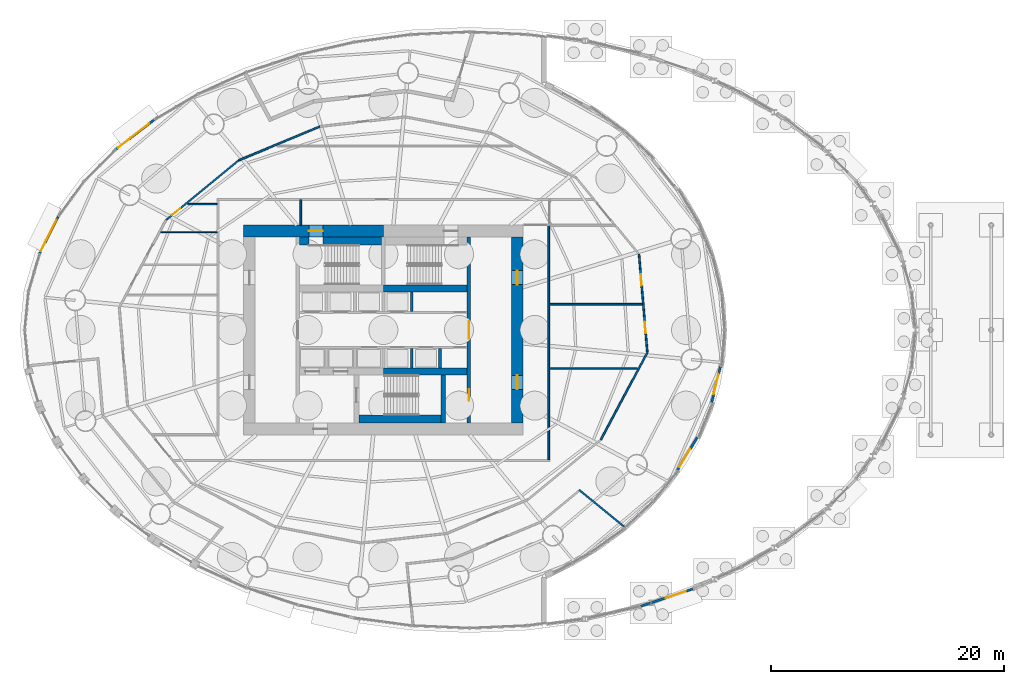
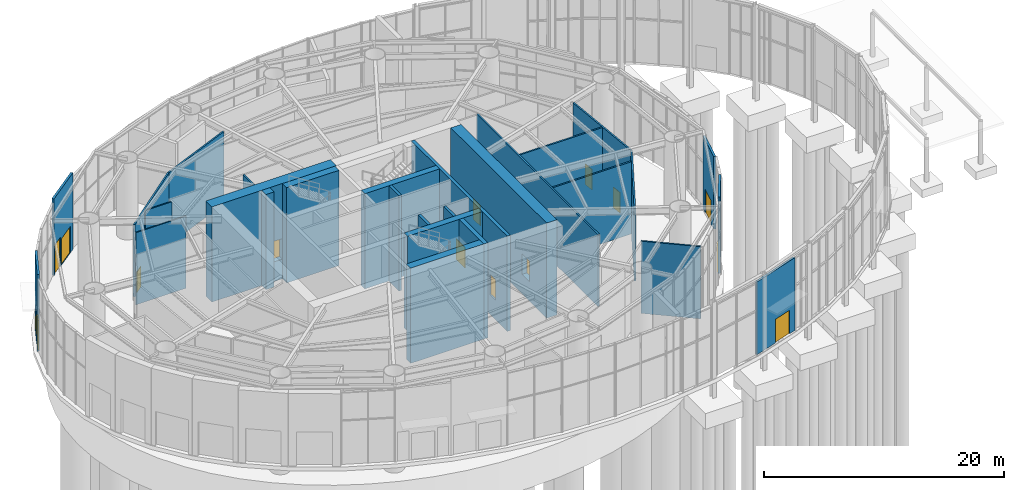
# One storey, part 23 of 27: 28 walls, 13 doors, 2 windows, 15 openings.
"""IFC4 building model written with IfcOpenShell, lengths in metres."""

from ifc_helpers import new_model, si_unit, direction, frame, frame_2d, origin, place, context, subcontext, project, spatial, rectangle, extrude, material, layer, layer_set, type_object, element, fill, save


model = new_model("IFC4")

# Units and contexts
model_context = context("Model", 3, precision=1e-05, world=origin(), true_north=direction((0.0, 1.0)))
body_context = subcontext(model_context, "Body", "Model", "MODEL_VIEW")
ifc_project = project(units=[si_unit("LENGTHUNIT", "METRE"), si_unit("AREAUNIT", "SQUARE_METRE"), si_unit("VOLUMEUNIT", "CUBIC_METRE"), si_unit("PLANEANGLEUNIT", "RADIAN"), si_unit("MASSUNIT", "GRAM", prefix="KILO")], contexts=[model_context])

# Site, building, storey
site_placement = place(None, origin())
site = spatial("IfcSite", under=ifc_project, at=site_placement, CompositionType="ELEMENT")
building_placement = place(site_placement, origin())
building = spatial("IfcBuilding", under=site, at=building_placement, Name="Vermilion Reach Broadcast Tower", CompositionType="ELEMENT")
storey_placement = place(building_placement, origin())
storey = spatial("IfcBuildingStorey", under=building, at=storey_placement, Name="L00", CompositionType="ELEMENT", Elevation=0.0)

# Wall, openings, doors
ifc_material_1 = material(Name="Concrete C70", Category="concrete")
ifc_layer_1 = layer(ifc_material_1, 0.300048828125)
ifc_layer_set_1 = layer_set([ifc_layer_1], Name="Core inner wall 300 mm Concrete C70")
wall_type_1 = type_object("IfcWallType", Name="Core inner wall 300 mm Concrete C70", PredefinedType="SHEAR", material=ifc_layer_set_1)
wall_1_placement = place(storey_placement, frame((1.35009765625, -8.0, -2.0), z_axis=(0.0, 0.0, 1.0), x_axis=(0.0, 1.0, 0.0)))
wall_1 = element("IfcWall", 1, at=wall_1_placement, inside=storey, type_object=wall_type_1, Name="L00 core wall ewE", PredefinedType="SHEAR", context=body_context, shape_type="SweptSolid", body=[
    extrude(rectangle(XDim=16.0, YDim=0.300048828125, at=frame_2d((8.0, 0.0))), origin(), (0.0, 0.0, 1.0), 9.699951171875),
])
opening_1_placement = place(wall_1_placement, frame((1.909912109375, 0.0, 2.0)))
opening_1 = element("IfcOpeningElement", 2, at=opening_1_placement, cuts=wall_1, Name="Opening D05", PredefinedType="OPENING", context=body_context, shape_type="SweptSolid", body=[
    extrude(rectangle(XDim=1.0, YDim=2.10009765625, at=frame_2d((0.5, 1.050048828125))), frame((0.0, 0.159912109375, 0.0), z_axis=(0.0, -1.0, 0.0), x_axis=(1.0, 0.0, 0.0)), (0.0, 0.0, 1.0), 0.320068359375),
])
opening_2_placement = place(wall_1_placement, frame((7.25, 0.0, 2.0)))
opening_2 = element("IfcOpeningElement", 3, at=opening_2_placement, cuts=wall_1, Name="Opening D04", PredefinedType="OPENING", context=body_context, shape_type="SweptSolid", body=[
    extrude(rectangle(XDim=1.5, YDim=2.10009765625, at=frame_2d((0.75, 1.050048828125))), frame((0.0, 0.159912109375, 0.0), z_axis=(0.0, -1.0, 0.0), x_axis=(1.0, 0.0, 0.0)), (0.0, 0.0, 1.0), 0.320068359375),
])
ifc_material_2 = material(Name="Painted steel fire door", Category="steel")
door_type_1 = type_object("IfcDoorType", Name="Lift lobby door 1500 x 2100", OperationType="DOUBLE_DOOR_SINGLE_SWING", PredefinedType="NOTDEFINED", material=ifc_material_2)
door_1_placement = place(opening_2_placement, origin())
door_1 = element("IfcDoor", 4, at=door_1_placement, inside=storey, type_object=door_type_1, Name="L00 band door BE", OperationType="DOUBLE_DOOR_SINGLE_SWING", OverallHeight=2.10009765625, OverallWidth=1.5, PredefinedType="NOTDEFINED", context=body_context, shape_type="SweptSolid", body=[
    extrude(rectangle(XDim=1.5, YDim=2.10009765625, at=frame_2d((0.75, 1.050048828125))), frame((0.0, 0.02490234375, 0.0), z_axis=(0.0, -1.0, 0.0), x_axis=(1.0, 0.0, 0.0)), (0.0, 0.0, 1.0), 0.050048828125),
])
fill(opening_2, door_1)
ifc_material_3 = material(Name="Timber door", Category="wood")
door_type_2 = type_object("IfcDoorType", Name="Room door 1000 x 2100", OperationType="NOTDEFINED", PredefinedType="NOTDEFINED", material=ifc_material_3)
door_2_placement = place(opening_1_placement, origin())
door_2 = element("IfcDoor", 5, at=door_2_placement, inside=storey, type_object=door_type_2, Name="L00 door SER", OperationType="SINGLE_SWING_LEFT", OverallHeight=2.10009765625, OverallWidth=1.0, PredefinedType="NOTDEFINED", context=body_context, shape_type="SweptSolid", body=[
    extrude(rectangle(XDim=1.0, YDim=2.10009765625, at=frame_2d((0.5, 1.050048828125))), frame((0.0, 0.02490234375, 0.0), z_axis=(0.0, -1.0, 0.0), x_axis=(1.0, 0.0, 0.0)), (0.0, 0.0, 1.0), 0.050048828125),
])
fill(opening_1, door_2)

# Walls
ifc_material_4 = material(Name="Concrete C70", Category="concrete")
ifc_layer_2 = layer(ifc_material_4, 0.39990234375)
ifc_layer_set_2 = layer_set([ifc_layer_2], Name="Core inner wall 400 mm Concrete C70")
wall_type_2 = type_object("IfcWallType", Name="Core inner wall 400 mm Concrete C70", PredefinedType="SHEAR", material=ifc_layer_set_2)
wall_2_placement = place(storey_placement, frame((-0.85009765625, -3.8798828125, -2.0), z_axis=(0.0, 0.0, 1.0), x_axis=(0.0, -1.0, 0.0)))
element("IfcWall", 6, at=wall_2_placement, inside=storey, type_object=wall_type_2, Name="L00 core wall wb", PredefinedType="SHEAR", context=body_context, shape_type="SweptSolid", body=[
    extrude(rectangle(XDim=4.1201171875, YDim=0.39990234375, at=frame_2d((2.06005859375, 0.0))), origin(), (0.0, 0.0, 1.0), 9.699951171875),
])
ifc_material_5 = material(Name="Concrete C70", Category="concrete")
ifc_layer_3 = layer(ifc_material_5, 0.60009765625)
ifc_layer_set_3 = layer_set([ifc_layer_3], Name="Core inner wall 600 mm Concrete C70")
wall_type_3 = type_object("IfcWallType", Name="Core inner wall 600 mm Concrete C70", PredefinedType="SHEAR", material=ifc_layer_set_3)
for number, where, z_axis, x_axis, name in (
    (7, (-6.0, 3.580078125, -2.0), (0.0, 0.0, 1.0), (1.0, 0.0, 0.0), "L00 core wall winE"),
    (8, (-6.0, -3.580078125, -2.0), (0.0, 0.0, 1.0), (1.0, 0.0, 0.0), "L00 core wall wisE"),
):
    element("IfcWall", number, at=place(storey_placement, frame(where, z_axis=z_axis, x_axis=x_axis)), inside=storey, type_object=wall_type_3, Name=name, PredefinedType="SHEAR", context=body_context, shape_type="SweptSolid", body=[
        extrude(rectangle(XDim=7.199951171875, YDim=0.60009765625, at=frame_2d((3.60009765625, 0.0))), origin(), (0.0, 0.0, 1.0), 9.699951171875),
    ])

# Wall, opening, door
ifc_material_6 = material(Name="Concrete C70", Category="concrete")
ifc_layer_4 = layer(ifc_material_6, 1.0)
ifc_layer_set_4 = layer_set([ifc_layer_4], Name="Core outer wall 1000 mm Concrete C70")
wall_type_4 = type_object("IfcWallType", Name="Core outer wall 1000 mm Concrete C70", PredefinedType="SHEAR", material=ifc_layer_set_4)
wall_3_placement = place(storey_placement, frame((-6.0, 8.5, -2.0), z_axis=(0.0, 0.0, 1.0), x_axis=(-1.0, 0.0, 0.0)))
wall_3 = element("IfcWall", 9, at=wall_3_placement, inside=storey, type_object=wall_type_4, Name="L00 core wall onW", PredefinedType="SHEAR", context=body_context, shape_type="SweptSolid", body=[
    extrude(rectangle(XDim=12.0, YDim=1.0, at=frame_2d((6.0, 0.0))), origin(), (0.0, 0.0, 1.0), 9.699951171875),
])
opening_3_placement = place(wall_3_placement, frame((5.199951171875, 0.0, 2.0)))
opening_3 = element("IfcOpeningElement", 10, at=opening_3_placement, cuts=wall_3, Name="Opening D01", PredefinedType="OPENING", context=body_context, shape_type="SweptSolid", body=[
    extrude(rectangle(XDim=1.199951171875, YDim=2.10009765625, at=frame_2d((0.60009765625, 1.050048828125))), frame((0.0, 0.510009765625, 0.0), z_axis=(0.0, -1.0, 0.0), x_axis=(1.0, 0.0, 0.0)), (0.0, 0.0, 1.0), 1.02001953125),
])
ifc_material_7 = material(Name="Painted steel fire door", Category="steel")
door_type_3 = type_object("IfcDoorType", Name="Stair door 1200 x 2100", OperationType="DOUBLE_DOOR_SINGLE_SWING", PredefinedType="NOTDEFINED", material=ifc_material_7)
door_3_placement = place(opening_3_placement, origin())
door_3 = element("IfcDoor", 11, at=door_3_placement, inside=storey, type_object=door_type_3, Name="L00 stair door ST1", OperationType="DOUBLE_DOOR_SINGLE_SWING", OverallHeight=2.10009765625, OverallWidth=1.199951171875, PredefinedType="NOTDEFINED", context=body_context, shape_type="SweptSolid", body=[
    extrude(rectangle(XDim=1.199951171875, YDim=2.10009765625, at=frame_2d((0.60009765625, 1.050048828125))), frame((0.0, 0.02490234375, 0.0), z_axis=(0.0, -1.0, 0.0), x_axis=(1.0, 0.0, 0.0)), (0.0, 0.0, 1.0), 0.050048828125),
])
fill(opening_3, door_3)

# Wall, openings, doors
wall_4_placement = place(storey_placement, frame((5.5, -8.0, -2.0), z_axis=(0.0, 0.0, 1.0), x_axis=(0.0, 1.0, 0.0)))
wall_4 = element("IfcWall", 12, at=wall_4_placement, inside=storey, type_object=wall_type_4, Name="L00 core wall oe", PredefinedType="SHEAR", context=body_context, shape_type="SweptSolid", body=[
    extrude(rectangle(XDim=16.0, YDim=1.0, at=frame_2d((8.0, 0.0))), origin(), (0.0, 0.0, 1.0), 9.699951171875),
])
opening_4_placement = place(wall_4_placement, frame((2.89990234375, 0.0, 2.0)))
opening_4 = element("IfcOpeningElement", 13, at=opening_4_placement, cuts=wall_4, Name="Opening D03", PredefinedType="OPENING", context=body_context, shape_type="SweptSolid", body=[
    extrude(rectangle(XDim=1.199951171875, YDim=2.10009765625, at=frame_2d((0.60009765625, 1.050048828125))), frame((0.0, 0.510009765625, 0.0), z_axis=(0.0, -1.0, 0.0), x_axis=(1.0, 0.0, 0.0)), (0.0, 0.0, 1.0), 1.02001953125),
])
opening_5_placement = place(wall_4_placement, frame((11.89990234375, 0.0, 2.0)))
opening_5 = element("IfcOpeningElement", 14, at=opening_5_placement, cuts=wall_4, Name="Opening D03", PredefinedType="OPENING", context=body_context, shape_type="SweptSolid", body=[
    extrude(rectangle(XDim=1.199951171875, YDim=2.10009765625, at=frame_2d((0.60009765625, 1.050048828125))), frame((0.0, 0.510009765625, 0.0), z_axis=(0.0, -1.0, 0.0), x_axis=(1.0, 0.0, 0.0)), (0.0, 0.0, 1.0), 1.02001953125),
])
ifc_material_8 = material(Name="Painted steel fire door", Category="steel")
door_type_4 = type_object("IfcDoorType", Name="Core lobby door 1200 x 2100", OperationType="DOUBLE_DOOR_SINGLE_SWING", PredefinedType="NOTDEFINED", material=ifc_material_8)
door_4_placement = place(opening_4_placement, origin())
door_4 = element("IfcDoor", 15, at=door_4_placement, inside=storey, type_object=door_type_4, Name="L00 slot door E0", OperationType="DOUBLE_DOOR_SINGLE_SWING", OverallHeight=2.10009765625, OverallWidth=1.199951171875, PredefinedType="NOTDEFINED", context=body_context, shape_type="SweptSolid", body=[
    extrude(rectangle(XDim=1.199951171875, YDim=2.10009765625, at=frame_2d((0.60009765625, 1.050048828125))), frame((0.0, 0.02490234375, 0.0), z_axis=(0.0, -1.0, 0.0), x_axis=(1.0, 0.0, 0.0)), (0.0, 0.0, 1.0), 0.050048828125),
])
fill(opening_4, door_4)
door_5_placement = place(opening_5_placement, origin())
door_5 = element("IfcDoor", 16, at=door_5_placement, inside=storey, type_object=door_type_4, Name="L00 slot door E1", OperationType="DOUBLE_DOOR_SINGLE_SWING", OverallHeight=2.10009765625, OverallWidth=1.199951171875, PredefinedType="NOTDEFINED", context=body_context, shape_type="SweptSolid", body=[
    extrude(rectangle(XDim=1.199951171875, YDim=2.10009765625, at=frame_2d((0.60009765625, 1.050048828125))), frame((0.0, 0.02490234375, 0.0), z_axis=(0.0, -1.0, 0.0), x_axis=(1.0, 0.0, 0.0)), (0.0, 0.0, 1.0), 0.050048828125),
])
fill(opening_5, door_5)

# Walls
ifc_material_9 = material(Name="Concrete C50", Category="concrete")
ifc_layer_5 = layer(ifc_material_9, 0.25)
ifc_layer_set_5 = layer_set([ifc_layer_5], Name="Core shaft wall 250 mm Concrete C50")
wall_type_5 = type_object("IfcWallType", Name="Core shaft wall 250 mm Concrete C50", PredefinedType="SHEAR", material=ifc_layer_set_5)
for number, where, z_axis, x_axis, name in (
    (17, (-3.558349609375, 1.60009765625, -2.0), (0.0, 0.0, 1.0), (0.0, 1.0, 0.0), "L00 core wall psN3"),
    (18, (-3.558349609375, -1.60009765625, -2.0), (0.0, 0.0, 1.0), (0.0, -1.0, 0.0), "L00 core wall psS3"),
    (19, (-1.11669921875, -1.60009765625, -2.0), (0.0, 0.0, 1.0), (0.0, -1.0, 0.0), "L00 core wall psS4"),
):
    element("IfcWall", number, at=place(storey_placement, frame(where, z_axis=z_axis, x_axis=x_axis)), inside=storey, type_object=wall_type_5, Name=name, PredefinedType="SHEAR", context=body_context, shape_type="SweptSolid", body=[
        extrude(rectangle(XDim=1.679931640625, YDim=0.25, at=frame_2d((0.83984375, 0.0))), origin(), (0.0, 0.0, 1.0), 9.699951171875),
    ])
ifc_material_10 = material(Name="Concrete C70", Category="concrete")
ifc_layer_6 = layer(ifc_material_10, 0.699951171875)
ifc_layer_set_6 = layer_set([ifc_layer_6], Name="Core stair wall 700 mm Concrete C70")
wall_type_6 = type_object("IfcWallType", Name="Core stair wall 700 mm Concrete C70", PredefinedType="SHEAR", material=ifc_layer_set_6)
wall_5_placement = place(storey_placement, frame((-13.199951171875, 7.64990234375, -2.0), z_axis=(0.0, 0.0, 1.0), x_axis=(1.0, 0.0, 0.0)))
element("IfcWall", 20, at=wall_5_placement, inside=storey, type_object=wall_type_6, Name="L00 core wall l1a", PredefinedType="SHEAR", context=body_context, shape_type="SweptSolid", body=[
    extrude(rectangle(XDim=0.800048828125, YDim=0.699951171875, at=frame_2d((0.39990234375, 0.0))), origin(), (0.0, 0.0, 1.0), 9.699951171875),
])
wall_6_placement = place(storey_placement, frame((-11.199951171875, 7.64990234375, -2.0), z_axis=(0.0, 0.0, 1.0), x_axis=(1.0, 0.0, 0.0)))
element("IfcWall", 21, at=wall_6_placement, inside=storey, type_object=wall_type_6, Name="L00 core wall l1b", PredefinedType="SHEAR", context=body_context, shape_type="SweptSolid", body=[
    extrude(rectangle(XDim=5.050048828125, YDim=0.699951171875, at=frame_2d((2.52490234375, 0.0))), origin(), (0.0, 0.0, 1.0), 9.699951171875),
])
wall_7_placement = place(storey_placement, frame((-8.10009765625, -7.64990234375, -2.0), z_axis=(0.0, 0.0, 1.0), x_axis=(1.0, 0.0, 0.0)))
element("IfcWall", 22, at=wall_7_placement, inside=storey, type_object=wall_type_6, Name="L00 core wall l3", PredefinedType="SHEAR", context=body_context, shape_type="SweptSolid", body=[
    extrude(rectangle(XDim=7.050048828125, YDim=0.699951171875, at=frame_2d((3.52490234375, 0.0))), origin(), (0.0, 0.0, 1.0), 9.699951171875),
])
ifc_material_11 = material(Name="Gypsum board partition")
ifc_layer_7 = layer(ifc_material_11, 0.14990234375)
ifc_layer_set_7 = layer_set([ifc_layer_7], Name="Corridor wall 150")
wall_type_7 = type_object("IfcWallType", Name="Corridor wall 150", PredefinedType="PARTITIONING", material=ifc_layer_set_7)
wall_8_placement = place(storey_placement, frame((8.199951171875, -11.125, 0.0), z_axis=(0.0, 0.0, 1.0), x_axis=(0.0, 1.0, 0.0)))
element("IfcWall", 23, at=wall_8_placement, inside=storey, type_object=wall_type_7, Name="sp.wall.L00.002", PredefinedType="PARTITIONING", context=body_context, shape_type="SweptSolid", body=[
    extrude(rectangle(XDim=20.2001953125, YDim=0.14990234375, at=frame_2d((10.10009765625, 0.0))), origin(), (0.0, 0.0, 1.0), 7.35009765625),
])

# Wall, opening, door
wall_9_placement = place(storey_placement, frame((-18.4306640625, 14.55908203125, 0.0), z_axis=(0.0, 0.0, 1.0), x_axis=(-0.772569565922, -0.634930126716, 0.0)))
wall_9 = element("IfcWall", 24, at=wall_9_placement, inside=storey, type_object=wall_type_7, Name="sp.wall.L00.014", PredefinedType="PARTITIONING", context=body_context, shape_type="SweptSolid", body=[
    extrude(rectangle(XDim=8.052978515625, YDim=0.14990234375, at=frame_2d((4.0263671875, 0.0))), origin(), (0.0, 0.0, 1.0), 7.35009765625),
])
opening_6_placement = place(wall_9_placement, frame((6.48681640625, 0.0, 0.0)))
opening_6 = element("IfcOpeningElement", 25, at=opening_6_placement, cuts=wall_9, Name="Opening D51", PredefinedType="OPENING", context=body_context, shape_type="SweptSolid", body=[
    extrude(rectangle(XDim=0.89990234375, YDim=2.10009765625, at=frame_2d((0.449951171875, 1.050048828125))), frame((0.0, 0.0849609375, 0.0), z_axis=(0.0, -1.0, 0.0), x_axis=(1.0, 0.0, 0.0)), (0.0, 0.0, 1.0), 0.169921875),
])
ifc_material_12 = material(Name="Timber and steel door set", Category="steel")
door_type_5 = type_object("IfcDoorType", Name="Door 900x2100 WC", OperationType="NOTDEFINED", PredefinedType="DOOR", material=ifc_material_12)
door_6_placement = place(opening_6_placement, origin())
door_6 = element("IfcDoor", 26, at=door_6_placement, inside=storey, type_object=door_type_5, Name="sp.door.L00.003", OperationType="SINGLE_SWING_RIGHT", OverallHeight=2.10009765625, OverallWidth=0.89990234375, PredefinedType="DOOR", context=body_context, shape_type="SweptSolid", body=[
    extrude(rectangle(XDim=0.89990234375, YDim=2.10009765625, at=frame_2d((0.449951171875, 1.050048828125))), frame((0.0, 0.02490234375, 0.0), z_axis=(0.0, -1.0, 0.0), x_axis=(1.0, 0.0, 0.0)), (0.0, 0.0, 1.0), 0.050048828125),
])
fill(opening_6, door_6)

# Walls
wall_10_placement = place(storey_placement, frame((-18.40966796875, 14.56787109375, 0.0), z_axis=(0.0, 0.0, 1.0), x_axis=(0.922821127206, 0.38522872061, 0.0)))
element("IfcWall", 27, at=wall_10_placement, inside=storey, type_object=wall_type_7, Name="sp.wall.L00.016", PredefinedType="PARTITIONING", context=body_context, shape_type="SweptSolid", body=[
    extrude(rectangle(XDim=7.54541015625, YDim=0.14990234375, at=frame_2d((3.772705078125, 0.0))), origin(), (0.0, 0.0, 1.0), 7.35009765625),
])
wall_11_placement = place(storey_placement, frame((8.27490234375, -3.297607421875, 0.0), z_axis=(0.0, 0.0, 1.0), x_axis=(1.0, 0.0, 0.0)))
element("IfcWall", 28, at=wall_11_placement, inside=storey, type_object=wall_type_7, Name="sp.wall.L00.022", PredefinedType="PARTITIONING", context=body_context, shape_type="SweptSolid", body=[
    extrude(rectangle(XDim=7.54638671875, YDim=0.14990234375, at=frame_2d((3.773193359375, 0.0))), origin(), (0.0, 0.0, 1.0), 7.35009765625),
])
wall_12_placement = place(storey_placement, frame((12.676025390625, -9.426513671875, 0.0), z_axis=(0.0, 0.0, 1.0), x_axis=(0.470743396375, 0.882270171076, 0.0)))
element("IfcWall", 29, at=wall_12_placement, inside=storey, type_object=wall_type_7, Name="sp.wall.L00.027", PredefinedType="PARTITIONING", context=body_context, shape_type="SweptSolid", body=[
    extrude(rectangle(XDim=8.4931640625, YDim=0.14990234375, at=frame_2d((4.24658203125, 0.0))), origin(), (0.0, 0.0, 1.0), 7.35009765625),
])
wall_13_placement = place(storey_placement, frame((8.27490234375, 2.202392578125, 0.0), z_axis=(0.0, 0.0, 1.0), x_axis=(1.0, 0.0, 0.0)))
element("IfcWall", 30, at=wall_13_placement, inside=storey, type_object=wall_type_7, Name="sp.wall.L00.029", PredefinedType="PARTITIONING", context=body_context, shape_type="SweptSolid", body=[
    extrude(rectangle(XDim=7.967041015625, YDim=0.14990234375, at=frame_2d((3.9833984375, 0.0))), origin(), (0.0, 0.0, 1.0), 7.35009765625),
])

# Wall, openings, doors
wall_14_placement = place(storey_placement, frame((16.670166015625, -1.884765625, 0.0), z_axis=(0.0, 0.0, 1.0), x_axis=(-0.084490422104, 0.99642429144, 0.0)))
wall_14 = element("IfcWall", 31, at=wall_14_placement, inside=storey, type_object=wall_type_7, Name="sp.wall.L00.030", PredefinedType="PARTITIONING", context=body_context, shape_type="SweptSolid", body=[
    extrude(rectangle(XDim=8.417236328125, YDim=0.14990234375, at=frame_2d((4.20849609375, 0.0))), origin(), (0.0, 0.0, 1.0), 7.35009765625),
])
opening_7_placement = place(wall_14_placement, frame((1.60107421875, 0.0, 0.0)))
opening_7 = element("IfcOpeningElement", 32, at=opening_7_placement, cuts=wall_14, Name="Opening D50", PredefinedType="OPENING", context=body_context, shape_type="SweptSolid", body=[
    extrude(rectangle(XDim=1.0, YDim=2.10009765625, at=frame_2d((0.5, 1.050048828125))), frame((0.0, 0.0849609375, 0.0), z_axis=(0.0, -1.0, 0.0), x_axis=(1.0, 0.0, 0.0)), (0.0, 0.0, 1.0), 0.169921875),
])
opening_8_placement = place(wall_14_placement, frame((5.709716796875, 0.0, 0.0)))
opening_8 = element("IfcOpeningElement", 33, at=opening_8_placement, cuts=wall_14, Name="Opening D50", PredefinedType="OPENING", context=body_context, shape_type="SweptSolid", body=[
    extrude(rectangle(XDim=1.0, YDim=2.10009765625, at=frame_2d((0.5, 1.050048828125))), frame((0.0, 0.0849609375, 0.0), z_axis=(0.0, -1.0, 0.0), x_axis=(1.0, 0.0, 0.0)), (0.0, 0.0, 1.0), 0.169921875),
])
ifc_material_13 = material(Name="Timber and steel door set", Category="steel")
door_type_6 = type_object("IfcDoorType", Name="Door 1000x2100", OperationType="NOTDEFINED", PredefinedType="DOOR", material=ifc_material_13)
door_7_placement = place(opening_7_placement, origin())
door_7 = element("IfcDoor", 34, at=door_7_placement, inside=storey, type_object=door_type_6, Name="sp.door.L00.007", OperationType="SINGLE_SWING_RIGHT", OverallHeight=2.10009765625, OverallWidth=1.0, PredefinedType="DOOR", context=body_context, shape_type="SweptSolid", body=[
    extrude(rectangle(XDim=1.0, YDim=2.10009765625, at=frame_2d((0.5, 1.050048828125))), frame((0.0, 0.02490234375, 0.0), z_axis=(0.0, -1.0, 0.0), x_axis=(1.0, 0.0, 0.0)), (0.0, 0.0, 1.0), 0.050048828125),
])
fill(opening_7, door_7)
door_8_placement = place(opening_8_placement, origin())
door_8 = element("IfcDoor", 35, at=door_8_placement, inside=storey, type_object=door_type_6, Name="sp.door.L00.008", OperationType="SINGLE_SWING_LEFT", OverallHeight=2.10009765625, OverallWidth=1.0, PredefinedType="DOOR", context=body_context, shape_type="SweptSolid", body=[
    extrude(rectangle(XDim=1.0, YDim=2.10009765625, at=frame_2d((0.5, 1.050048828125))), frame((0.0, 0.02490234375, 0.0), z_axis=(0.0, -1.0, 0.0), x_axis=(1.0, 0.0, 0.0)), (0.0, 0.0, 1.0), 0.050048828125),
])
fill(opening_8, door_8)

# Walls
wall_15_placement = place(storey_placement, frame((10.799560546875, -13.720947265625, 0.0), z_axis=(0.0, 0.0, 1.0), x_axis=(0.774493289837, -0.63258212431, 0.0)))
element("IfcWall", 36, at=wall_15_placement, inside=storey, type_object=wall_type_7, Name="sp.wall.L00.045", PredefinedType="PARTITIONING", context=body_context, shape_type="SweptSolid", body=[
    extrude(rectangle(XDim=5.0302734375, YDim=0.14990234375, at=frame_2d((2.51513671875, 0.0))), origin(), (0.0, 0.0, 1.0), 7.35009765625),
])
wall_16_placement = place(storey_placement, frame((-13.10009765625, 9.0, 0.0), z_axis=(0.0, 0.0, 1.0), x_axis=(0.0, 1.0, 0.0)))
element("IfcWall", 37, at=wall_16_placement, inside=storey, type_object=wall_type_7, Name="Exit passage wall W", PredefinedType="PARTITIONING", context=body_context, shape_type="SweptSolid", body=[
    extrude(rectangle(XDim=2.199951171875, YDim=0.14990234375, at=frame_2d((1.10009765625, 0.0))), origin(), (0.0, 0.0, 1.0), 7.35009765625),
])
ifc_material_14 = material(Name="Gypsum board partition")
ifc_layer_8 = layer(ifc_material_14, 0.125)
ifc_layer_set_8 = layer_set([ifc_layer_8], Name="Partition 125 plasterboard")
wall_type_8 = type_object("IfcWallType", Name="Partition 125 plasterboard", PredefinedType="PARTITIONING", material=ifc_layer_set_8)
wall_17_placement = place(storey_placement, frame((-22.810546875, 10.800048828125, 0.0), z_axis=(0.0, 0.0, 1.0), x_axis=(1.0, 0.0, 0.0)))
element("IfcWall", 38, at=wall_17_placement, inside=storey, type_object=wall_type_8, Name="sp.wall.L00.013", PredefinedType="PARTITIONING", context=body_context, shape_type="SweptSolid", body=[
    extrude(rectangle(XDim=2.53564453125, YDim=0.125, at=frame_2d((1.267822265625, 0.0))), origin(), (0.0, 0.0, 1.0), 7.35009765625),
])

# Wall, openings, window, door
ifc_material_15 = material(Name="Clear glass in aluminium frame", Category="aluminium")
ifc_layer_9 = layer(ifc_material_15, 0.199951171875)
ifc_layer_set_9 = layer_set([ifc_layer_9], Name="Storefront frame wall 200")
wall_type_9 = type_object("IfcWallType", Name="Storefront frame wall 200", PredefinedType="SOLIDWALL", material=ifc_layer_set_9)
wall_18_placement = place(storey_placement, frame((-28.95947265625, 15.527099609375, 0.0), z_axis=(0.0, 0.0, 1.0), x_axis=(0.793065901338, 0.609135843745, 0.0)))
wall_18 = element("IfcWall", 39, at=wall_18_placement, inside=storey, type_object=wall_type_9, Name="Storefront wall L00 str08", PredefinedType="SOLIDWALL", context=body_context, shape_type="SweptSolid", body=[
    extrude(rectangle(XDim=4.146728515625, YDim=0.199951171875, at=frame_2d((2.0732421875, 0.0))), origin(), (0.0, 0.0, 1.0), 7.800048828125),
])
opening_9_placement = place(wall_18_placement, frame((1.589111328125, 0.0, 0.0)))
opening_9 = element("IfcOpeningElement", 40, at=opening_9_placement, cuts=wall_18, Name="Opening D71", PredefinedType="OPENING", context=body_context, shape_type="SweptSolid", body=[
    extrude(rectangle(XDim=2.0, YDim=2.699951171875, at=frame_2d((1.0, 1.35009765625))), frame((0.0, 0.10986328125, 0.0), z_axis=(0.0, -1.0, 0.0), x_axis=(1.0, 0.0, 0.0)), (0.0, 0.0, 1.0), 0.219970703125),
])
opening_10_placement = place(wall_18_placement, frame((0.199951171875, 0.0, 0.0)))
opening_10 = element("IfcOpeningElement", 41, at=opening_10_placement, cuts=wall_18, Name="Opening W13", PredefinedType="OPENING", context=body_context, shape_type="SweptSolid", body=[
    extrude(rectangle(XDim=1.189208984375, YDim=3.0, at=frame_2d((0.5947265625, 1.5))), frame((0.0, 0.10986328125, 0.0), z_axis=(0.0, -1.0, 0.0), x_axis=(1.0, 0.0, 0.0)), (0.0, 0.0, 1.0), 0.219970703125),
])
ifc_material_16 = material(Name="Low-e laminated clear glass in aluminium frame", Category="aluminium")
window_type = type_object("IfcWindowType", Name="Storefront sidelight", PartitioningType="SINGLE_PANEL", PredefinedType="WINDOW", material=ifc_material_16)
window_1_placement = place(opening_10_placement, origin())
window_1 = element("IfcWindow", 42, at=window_1_placement, inside=storey, type_object=window_type, Name="Sidelight L00 str08a", OverallHeight=3.0, OverallWidth=1.189208984375, PartitioningType="SINGLE_PANEL", PredefinedType="WINDOW", context=body_context, shape_type="SweptSolid", body=[
    extrude(rectangle(XDim=1.189208984375, YDim=3.0, at=frame_2d((0.5947265625, 1.5))), frame((0.0, 0.030029296875, 0.0), z_axis=(0.0, -1.0, 0.0), x_axis=(1.0, 0.0, 0.0)), (0.0, 0.0, 1.0), 0.06005859375),
])
fill(opening_10, window_1)
ifc_material_17 = material(Name="Toughened glass in aluminium frame", Category="aluminium")
door_type_7 = type_object("IfcDoorType", Name="Street entrance door pair 2000 x 2700", OperationType="DOUBLE_DOOR_SINGLE_SWING", PredefinedType="DOOR", material=ifc_material_17)
door_9_placement = place(opening_9_placement, origin())
door_9 = element("IfcDoor", 43, at=door_9_placement, inside=storey, type_object=door_type_7, Name="Exit door L00 str08", OperationType="DOUBLE_DOOR_SINGLE_SWING", OverallHeight=2.699951171875, OverallWidth=2.0, PredefinedType="DOOR", context=body_context, shape_type="SweptSolid", body=[
    extrude(rectangle(XDim=2.0, YDim=2.699951171875, at=frame_2d((1.0, 1.35009765625))), frame((0.0, 0.02490234375, 0.0), z_axis=(0.0, -1.0, 0.0), x_axis=(1.0, 0.0, 0.0)), (0.0, 0.0, 1.0), 0.050048828125),
])
fill(opening_9, door_9)

wall_19_placement = place(storey_placement, frame((-35.51318359375, 6.58154296875, 0.0), z_axis=(0.0, 0.0, 1.0), x_axis=(0.450137579264, 0.892959215045, 0.0)))
wall_19 = element("IfcWall", 44, at=wall_19_placement, inside=storey, type_object=wall_type_9, Name="Storefront wall L00 str11", PredefinedType="SOLIDWALL", context=body_context, shape_type="SweptSolid", body=[
    extrude(rectangle(XDim=3.537353515625, YDim=0.199951171875, at=frame_2d((1.7685546875, 0.0))), origin(), (0.0, 0.0, 1.0), 7.800048828125),
])
opening_11_placement = place(wall_19_placement, frame((1.2373046875, 0.0, 0.0)))
opening_11 = element("IfcOpeningElement", 45, at=opening_11_placement, cuts=wall_19, Name="Opening D71", PredefinedType="OPENING", context=body_context, shape_type="SweptSolid", body=[
    extrude(rectangle(XDim=2.0, YDim=2.699951171875, at=frame_2d((1.0, 1.35009765625))), frame((0.0, 0.10986328125, 0.0), z_axis=(0.0, -1.0, 0.0), x_axis=(1.0, 0.0, 0.0)), (0.0, 0.0, 1.0), 0.219970703125),
])
opening_12_placement = place(wall_19_placement, frame((0.199951171875, 0.0, 0.0)))
opening_12 = element("IfcOpeningElement", 46, at=opening_12_placement, cuts=wall_19, Name="Opening W13", PredefinedType="OPENING", context=body_context, shape_type="SweptSolid", body=[
    extrude(rectangle(XDim=0.83740234375, YDim=3.0, at=frame_2d((0.418701171875, 1.5))), frame((0.0, 0.10986328125, 0.0), z_axis=(0.0, -1.0, 0.0), x_axis=(1.0, 0.0, 0.0)), (0.0, 0.0, 1.0), 0.219970703125),
])
window_2_placement = place(opening_12_placement, origin())
window_2 = element("IfcWindow", 47, at=window_2_placement, inside=storey, type_object=window_type, Name="Sidelight L00 str11a", OverallHeight=3.0, OverallWidth=0.83740234375, PartitioningType="SINGLE_PANEL", PredefinedType="WINDOW", context=body_context, shape_type="SweptSolid", body=[
    extrude(rectangle(XDim=0.83740234375, YDim=3.0, at=frame_2d((0.418701171875, 1.5))), frame((0.0, 0.030029296875, 0.0), z_axis=(0.0, -1.0, 0.0), x_axis=(1.0, 0.0, 0.0)), (0.0, 0.0, 1.0), 0.06005859375),
])
fill(opening_12, window_2)
door_10_placement = place(opening_11_placement, origin())
door_10 = element("IfcDoor", 48, at=door_10_placement, inside=storey, type_object=door_type_7, Name="Exit door L00 str11", OperationType="DOUBLE_DOOR_SINGLE_SWING", OverallHeight=2.699951171875, OverallWidth=2.0, PredefinedType="DOOR", context=body_context, shape_type="SweptSolid", body=[
    extrude(rectangle(XDim=2.0, YDim=2.699951171875, at=frame_2d((1.0, 1.35009765625))), frame((0.0, 0.02490234375, 0.0), z_axis=(0.0, -1.0, 0.0), x_axis=(1.0, 0.0, 0.0)), (0.0, 0.0, 1.0), 0.050048828125),
])
fill(opening_11, door_10)

# Wall, opening, door
wall_20_placement = place(storey_placement, frame((20.964111328125, -9.211669921875, 0.0), z_axis=(0.0, 0.0, 1.0), x_axis=(-0.515586767828, -0.856837373625, 0.0)))
wall_20 = element("IfcWall", 49, at=wall_20_placement, inside=storey, type_object=wall_type_9, Name="Storefront wall L00 dru12", PredefinedType="SOLIDWALL", context=body_context, shape_type="SweptSolid", body=[
    extrude(rectangle(XDim=3.28955078125, YDim=0.199951171875, at=frame_2d((1.644775390625, 0.0))), origin(), (0.0, 0.0, 1.0), 7.800048828125),
])
opening_13_placement = place(wall_20_placement, frame((1.189453125, 0.0, 0.0)))
opening_13 = element("IfcOpeningElement", 50, at=opening_13_placement, cuts=wall_20, Name="Opening D72", PredefinedType="OPENING", context=body_context, shape_type="SweptSolid", body=[
    extrude(rectangle(XDim=1.800048828125, YDim=2.39990234375, at=frame_2d((0.89990234375, 1.199951171875))), frame((0.0, 0.10986328125, 0.0), z_axis=(0.0, -1.0, 0.0), x_axis=(1.0, 0.0, 0.0)), (0.0, 0.0, 1.0), 0.219970703125),
])
ifc_material_18 = material(Name="Toughened glass in aluminium frame", Category="aluminium")
door_type_8 = type_object("IfcDoorType", Name="Atrium exit door pair 1800 x 2400", OperationType="DOUBLE_DOOR_SINGLE_SWING", PredefinedType="DOOR", material=ifc_material_18)
door_11_placement = place(opening_13_placement, origin())
door_11 = element("IfcDoor", 51, at=door_11_placement, inside=storey, type_object=door_type_8, Name="Exit door L00 dru12", OperationType="DOUBLE_DOOR_SINGLE_SWING", OverallHeight=2.39990234375, OverallWidth=1.800048828125, PredefinedType="DOOR", context=body_context, shape_type="SweptSolid", body=[
    extrude(rectangle(XDim=1.800048828125, YDim=2.39990234375, at=frame_2d((0.89990234375, 1.199951171875))), frame((0.0, 0.02490234375, 0.0), z_axis=(0.0, -1.0, 0.0), x_axis=(1.0, 0.0, 0.0)), (0.0, 0.0, 1.0), 0.050048828125),
])
fill(opening_13, door_11)

ifc_material_19 = material(Name="Clear glass in aluminium frame", Category="aluminium")
ifc_layer_10 = layer(ifc_material_19, 0.199951171875)
ifc_layer_set_10 = layer_set([ifc_layer_10], Name="Storefront frame wall 200, head 390 below soffit")
wall_type_10 = type_object("IfcWallType", Name="Storefront frame wall 200, head 390 below soffit", PredefinedType="SOLIDWALL", material=ifc_layer_set_10)
wall_21_placement = place(storey_placement, frame((20.59130859375, -22.237060546875, 0.0), z_axis=(0.0, 0.0, 1.0), x_axis=(-0.949012283333, -0.31523909352, 0.0)))
wall_21 = element("IfcWall", 52, at=wall_21_placement, inside=storey, type_object=wall_type_10, Name="Storefront wall L00 atr02", PredefinedType="SOLIDWALL", context=body_context, shape_type="SweptSolid", body=[
    extrude(rectangle(XDim=4.741943359375, YDim=0.199951171875, at=frame_2d((2.37109375, 0.0))), origin(), (0.0, 0.0, 1.0), 7.409912109375),
])
opening_14_placement = place(wall_21_placement, frame((0.658203125, 0.0, 0.0)))
opening_14 = element("IfcOpeningElement", 53, at=opening_14_placement, cuts=wall_21, Name="Opening D72", PredefinedType="OPENING", context=body_context, shape_type="SweptSolid", body=[
    extrude(rectangle(XDim=1.800048828125, YDim=2.39990234375, at=frame_2d((0.89990234375, 1.199951171875))), frame((0.0, 0.10986328125, 0.0), z_axis=(0.0, -1.0, 0.0), x_axis=(1.0, 0.0, 0.0)), (0.0, 0.0, 1.0), 0.219970703125),
])
door_12_placement = place(opening_14_placement, origin())
door_12 = element("IfcDoor", 54, at=door_12_placement, inside=storey, type_object=door_type_8, Name="Exit door L00 atr02", OperationType="DOUBLE_DOOR_SINGLE_SWING", OverallHeight=2.39990234375, OverallWidth=1.800048828125, PredefinedType="DOOR", context=body_context, shape_type="SweptSolid", body=[
    extrude(rectangle(XDim=1.800048828125, YDim=2.39990234375, at=frame_2d((0.89990234375, 1.199951171875))), frame((0.0, 0.02490234375, 0.0), z_axis=(0.0, -1.0, 0.0), x_axis=(1.0, 0.0, 0.0)), (0.0, 0.0, 1.0), 0.050048828125),
])
fill(opening_14, door_12)

ifc_material_20 = material(Name="Clear glass in aluminium frame", Category="aluminium")
ifc_layer_11 = layer(ifc_material_20, 0.199951171875)
ifc_layer_set_11 = layer_set([ifc_layer_11], Name="Storefront frame wall 200, head 400 below soffit")
wall_type_11 = type_object("IfcWallType", Name="Storefront frame wall 200, head 400 below soffit", PredefinedType="SOLIDWALL", material=ifc_layer_set_11)
wall_22_placement = place(storey_placement, frame((22.947998046875, -3.143798828125, 0.0), z_axis=(0.0, 0.0, 1.0), x_axis=(-0.235896812421, -0.97177810939, 0.0)))
wall_22 = element("IfcWall", 55, at=wall_22_placement, inside=storey, type_object=wall_type_11, Name="Storefront wall L00 dru10", PredefinedType="SOLIDWALL", context=body_context, shape_type="SweptSolid", body=[
    extrude(rectangle(XDim=3.17822265625, YDim=0.199951171875, at=frame_2d((1.589111328125, 0.0))), origin(), (0.0, 0.0, 1.0), 7.39990234375),
])
opening_15_placement = place(wall_22_placement, frame((0.65087890625, 0.0, 0.0)))
opening_15 = element("IfcOpeningElement", 56, at=opening_15_placement, cuts=wall_22, Name="Opening D72", PredefinedType="OPENING", context=body_context, shape_type="SweptSolid", body=[
    extrude(rectangle(XDim=1.800048828125, YDim=2.39990234375, at=frame_2d((0.89990234375, 1.199951171875))), frame((0.0, 0.10986328125, 0.0), z_axis=(0.0, -1.0, 0.0), x_axis=(1.0, 0.0, 0.0)), (0.0, 0.0, 1.0), 0.219970703125),
])
door_13_placement = place(opening_15_placement, origin())
door_13 = element("IfcDoor", 57, at=door_13_placement, inside=storey, type_object=door_type_8, Name="Exit door L00 dru10", OperationType="DOUBLE_DOOR_SINGLE_SWING", OverallHeight=2.39990234375, OverallWidth=1.800048828125, PredefinedType="DOOR", context=body_context, shape_type="SweptSolid", body=[
    extrude(rectangle(XDim=1.800048828125, YDim=2.39990234375, at=frame_2d((0.89990234375, 1.199951171875))), frame((0.0, 0.02490234375, 0.0), z_axis=(0.0, -1.0, 0.0), x_axis=(1.0, 0.0, 0.0)), (0.0, 0.0, 1.0), 0.050048828125),
])
fill(opening_15, door_13)

# Wall
ifc_material_21 = material(Name="Gypsum board partition")
ifc_layer_12 = layer(ifc_material_21, 0.10009765625)
ifc_layer_set_12 = layer_set([ifc_layer_12], Name="WC partition 100")
wall_type_12 = type_object("IfcWallType", Name="WC partition 100", PredefinedType="PARTITIONING", material=ifc_layer_set_12)
wall_23_placement = place(storey_placement, frame((-25.112060546875, 8.39990234375, 0.0), z_axis=(0.0, 0.0, 1.0), x_axis=(1.0, 0.0, 0.0)))
element("IfcWall", 58, at=wall_23_placement, inside=storey, type_object=wall_type_12, Name="sp.wall.L00.012", PredefinedType="PARTITIONING", context=body_context, shape_type="SweptSolid", body=[
    extrude(rectangle(XDim=4.837158203125, YDim=0.10009765625, at=frame_2d((2.41845703125, 0.0))), origin(), (0.0, 0.0, 1.0), 7.35009765625),
])

save(model, "model.ifc")
